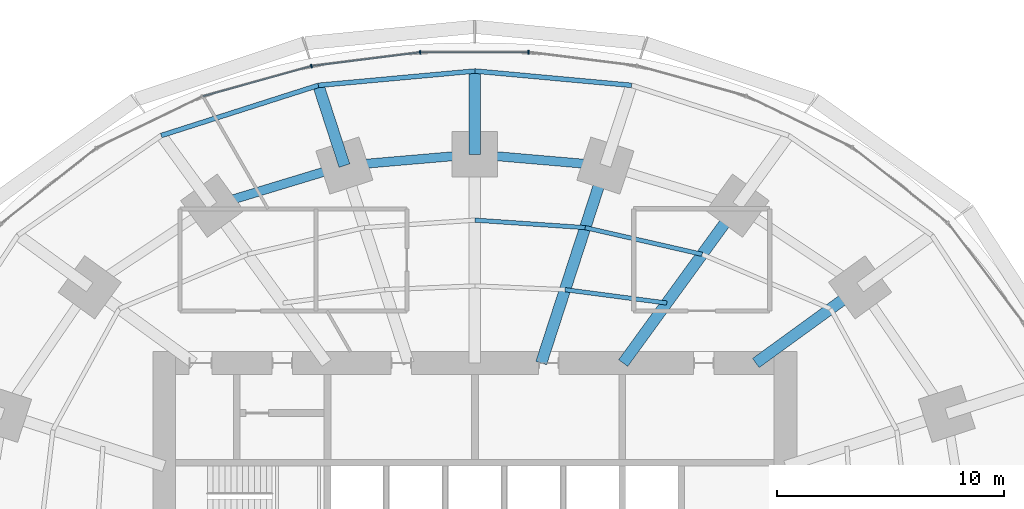
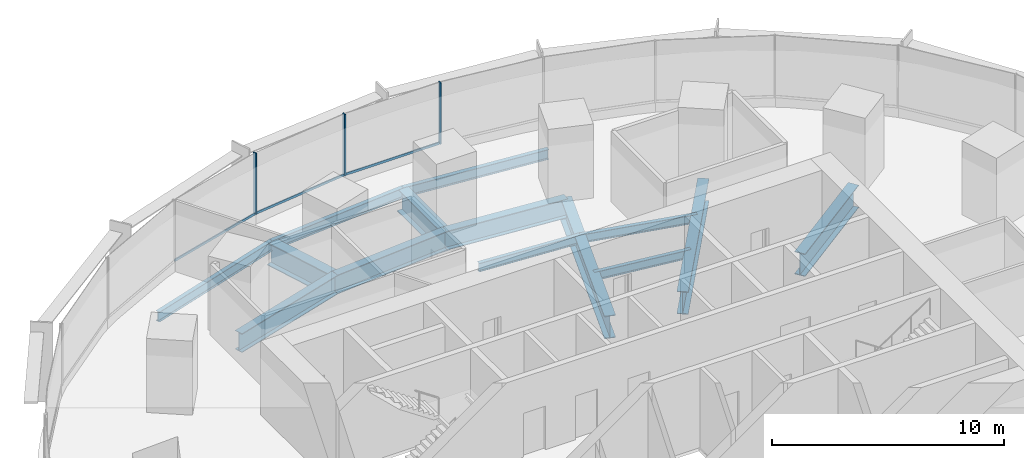
# One storey, part 8 of 15: 14 beams, 6 members, 1 element without a shape of its own.
"""IFC4 building model written with IfcOpenShell, lengths in metres."""

from ifc_helpers import new_model, si_unit, direction, frame, origin, origin_2d, place, context, subcontext, project, spatial, rectangle, i_section, extrude, material, material_profile, profile_set, type_object, element, aggregate, save


model = new_model("IFC4")

# Units and contexts
model_context = context("Model", 3, precision=1e-05, world=origin(), true_north=direction((0.0, 1.0)))
body_context = subcontext(model_context, "Body", "Model", "MODEL_VIEW")
ifc_project = project(units=[si_unit("LENGTHUNIT", "METRE"), si_unit("AREAUNIT", "SQUARE_METRE"), si_unit("VOLUMEUNIT", "CUBIC_METRE"), si_unit("PLANEANGLEUNIT", "RADIAN"), si_unit("MASSUNIT", "GRAM", prefix="KILO")], contexts=[model_context])

# Site, building, storey
site_placement = place(None, origin())
site = spatial("IfcSite", under=ifc_project, at=site_placement, CompositionType="ELEMENT")
building_placement = place(site_placement, origin())
building = spatial("IfcBuilding", under=site, at=building_placement, Name="Marramba Exchange Tower", CompositionType="ELEMENT")
storey_placement = place(building_placement, frame((0.0, 0.0, 28.0)))
storey = spatial("IfcBuildingStorey", under=building, at=storey_placement, Name="L06", CompositionType="ELEMENT", Elevation=28.0)

# Beams
ifc_material_1 = material(Name="Steel AS/NZS 3679.2 grade 300", Category="steel")
ifc_material_profile_1 = material_profile(ifc_material_1, i_section(OverallWidth=0.5, OverallDepth=1.199951171875, WebThickness=0.01611328125, FlangeThickness=0.0400390625, at=origin_2d()), Name="1200WB455")
ifc_profile_set_1 = profile_set([ifc_material_profile_1], Name="Steel AS/NZS 3679.2 grade 300")
beam_type_1 = type_object("IfcBeamType", Name="Cantilever girder 1200WB455", PredefinedType="BEAM", material=ifc_profile_set_1)
beam_1_placement = place(storey_placement, frame((0.0, 18.2041015625, -0.760009765625), z_axis=(0.0, 1.0, 0.0), x_axis=(-1.0, 0.0, 0.0)))
element("IfcBeam", 1, at=beam_1_placement, inside=storey, type_object=beam_type_1, Name="Cantilever girder L06 TC06", PredefinedType="BEAM", context=body_context, shape_type="SweptSolid", body=[
    extrude(i_section(OverallWidth=0.5, OverallDepth=1.199951171875, WebThickness=0.01611328125, FlangeThickness=0.0400390625, at=origin_2d()), origin(), (0.0, 0.0, 1.0), 3.673828125),
])
beam_2_placement = place(storey_placement, frame((-5.75390625, 17.70849609375, -0.760009765625), z_axis=(-0.308973290646, 0.951070715387, 0.0), x_axis=(-0.951070715387, -0.308973290646, 0.0)))
element("IfcBeam", 2, at=beam_2_placement, inside=storey, type_object=beam_type_1, Name="Cantilever girder L06 TC07", PredefinedType="BEAM", context=body_context, shape_type="SweptSolid", body=[
    extrude(i_section(OverallWidth=0.5, OverallDepth=1.199951171875, WebThickness=0.01611328125, FlangeThickness=0.0400390625, at=origin_2d()), origin(), (0.0, 0.0, 1.0), 3.72021484375),
])
ifc_material_2 = material(Name="Steel AS/NZS 3679.1 grade 300", Category="steel")
ifc_material_profile_2 = material_profile(ifc_material_2, i_section(OverallWidth=0.18994140625, OverallDepth=0.4541015625, WebThickness=0.008544921875, FlangeThickness=0.0126953125, FilletRadius=0.011474609375, at=origin_2d()), Name="460UB67.1")
ifc_profile_set_2 = profile_set([ifc_material_profile_2], Name="Steel AS/NZS 3679.1 grade 300")
beam_type_2 = type_object("IfcBeamType", Name="Floor joist 460UB67.1", PredefinedType="JOIST", material=ifc_profile_set_2)
beam_3_placement = place(storey_placement, frame((8.4619140625, 11.646728515625, -0.386962890625), z_axis=(-0.991480538255, 0.130254912618, 0.0), x_axis=(-0.130254912618, -0.991480538255, 0.0)))
element("IfcBeam", 3, at=beam_3_placement, inside=storey, type_object=beam_type_2, Name="Joist L06 bay 04 row 1", PredefinedType="JOIST", context=body_context, shape_type="SweptSolid", body=[
    extrude(i_section(OverallWidth=0.18994140625, OverallDepth=0.4541015625, WebThickness=0.008544921875, FlangeThickness=0.0126953125, FilletRadius=0.011474609375, at=origin_2d()), origin(), (0.0, 0.0, 1.0), 4.524658203125),
])
beam_4_placement = place(storey_placement, frame((10.021728515625, 13.793701171875, -0.386962890625), z_axis=(-0.974859652292, 0.222819788916, 0.0), x_axis=(-0.222819788916, -0.974859652292, 0.0)))
element("IfcBeam", 4, at=beam_4_placement, inside=storey, type_object=beam_type_2, Name="Joist L06 bay 04 row 2", PredefinedType="JOIST", context=body_context, shape_type="SweptSolid", body=[
    extrude(i_section(OverallWidth=0.18994140625, OverallDepth=0.4541015625, WebThickness=0.008544921875, FlangeThickness=0.0126953125, FilletRadius=0.011474609375, at=origin_2d()), origin(), (0.0, 0.0, 1.0), 5.2900390625),
])
beam_5_placement = place(storey_placement, frame((4.86474609375, 14.972412109375, -0.386962890625), z_axis=(-0.997702652202, 0.067745241816, 0.0), x_axis=(-0.067745241816, -0.997702652202, 0.0)))
element("IfcBeam", 5, at=beam_5_placement, inside=storey, type_object=beam_type_2, Name="Joist L06 bay 05 row 2", PredefinedType="JOIST", context=body_context, shape_type="SweptSolid", body=[
    extrude(i_section(OverallWidth=0.18994140625, OverallDepth=0.4541015625, WebThickness=0.008544921875, FlangeThickness=0.0126953125, FilletRadius=0.011474609375, at=origin_2d()), origin(), (0.0, 0.0, 1.0), 4.8759765625),
])
ifc_material_profile_3 = material_profile(ifc_material_1, i_section(OverallWidth=0.5, OverallDepth=1.199951171875, WebThickness=0.01611328125, FlangeThickness=0.0400390625, at=origin_2d()), Name="1200WB455")
ifc_profile_set_3 = profile_set([ifc_material_profile_3], Name="Steel AS/NZS 3679.2 grade 300")
beam_type_3 = type_object("IfcBeamType", Name="Radial girder 1200WB455", PredefinedType="BEAM", material=ifc_profile_set_3)
beam_6_placement = place(storey_placement, frame((12.387451171875, 9.0, -0.760009765625), z_axis=(0.809025746925, 0.587773205252, 0.0), x_axis=(-0.587773205252, 0.809025746925, 0.0)))
element("IfcBeam", 6, at=beam_6_placement, inside=storey, type_object=beam_type_3, Name="Radial girder L06 TC03", PredefinedType="BEAM", context=body_context, shape_type="SweptSolid", body=[
    extrude(i_section(OverallWidth=0.5, OverallDepth=1.199951171875, WebThickness=0.01611328125, FlangeThickness=0.0400390625, at=origin_2d()), origin(), (0.0, 0.0, 1.0), 5.683837890625),
])
beam_7_placement = place(storey_placement, frame((6.538818359375, 9.0, -0.760009765625), z_axis=(0.587782439969, 0.80901903764, 0.0), x_axis=(-0.80901903764, 0.587782439969, 0.0)))
element("IfcBeam", 7, at=beam_7_placement, inside=storey, type_object=beam_type_3, Name="Radial girder L06 TC04", PredefinedType="BEAM", context=body_context, shape_type="SweptSolid", body=[
    extrude(i_section(OverallWidth=0.5, OverallDepth=1.199951171875, WebThickness=0.01611328125, FlangeThickness=0.0400390625, at=origin_2d()), origin(), (0.0, 0.0, 1.0), 8.578857421875),
])
beam_8_placement = place(storey_placement, frame((2.92431640625, 9.0, -0.760009765625), z_axis=(0.309019754162, 0.951055619582, 0.0), x_axis=(-0.951055619582, 0.309019754162, 0.0)))
element("IfcBeam", 8, at=beam_8_placement, inside=storey, type_object=beam_type_3, Name="Radial girder L06 TC05", PredefinedType="BEAM", context=body_context, shape_type="SweptSolid", body=[
    extrude(i_section(OverallWidth=0.5, OverallDepth=1.199951171875, WebThickness=0.01611328125, FlangeThickness=0.0400390625, at=origin_2d()), origin(), (0.0, 0.0, 1.0), 9.15673828125),
])
ifc_material_profile_4 = material_profile(ifc_material_1, i_section(OverallWidth=0.39990234375, OverallDepth=1.0, WebThickness=0.01611328125, FlangeThickness=0.031982421875, at=origin_2d()), Name="1000WB322")
ifc_profile_set_4 = profile_set([ifc_material_profile_4], Name="Steel AS/NZS 3679.2 grade 300")
beam_type_4 = type_object("IfcBeamType", Name="Ring beam 1000WB322", PredefinedType="SPANDREL", material=ifc_profile_set_4)
for number, where, z_axis, x_axis, name in (
    (9, (5.75390625, 17.70849609375, -0.659912109375), (-0.996311003275, 0.085815993578, 0.0), (-0.085815993578, -0.996311003275, 0.0), "Ring beam L06 TC05-TC06"),
    (10, (0.0, 18.2041015625, -0.659912109375), (-0.996311003275, -0.085815993578, 0.0), (0.085815993578, -0.996311003275, 0.0), "Ring beam L06 TC06-TC07"),
):
    element("IfcBeam", number, at=place(storey_placement, frame(where, z_axis=z_axis, x_axis=x_axis)), inside=storey, type_object=beam_type_4, Name=name, PredefinedType="SPANDREL", context=body_context, shape_type="SweptSolid", body=[
        extrude(i_section(OverallWidth=0.39990234375, OverallDepth=1.0, WebThickness=0.01611328125, FlangeThickness=0.031982421875, at=origin_2d()), origin(), (0.0, 0.0, 1.0), 5.775146484375),
    ])
beam_9_placement = place(storey_placement, frame((-5.75390625, 17.70849609375, -0.659912109375), z_axis=(-0.956924542524, -0.290336735387, 0.0), x_axis=(0.290336735387, -0.956924542524, 0.0)))
element("IfcBeam", 11, at=beam_9_placement, inside=storey, type_object=beam_type_4, Name="Ring beam L06 TC07-TC08", PredefinedType="SPANDREL", context=body_context, shape_type="SweptSolid", body=[
    extrude(i_section(OverallWidth=0.39990234375, OverallDepth=1.0, WebThickness=0.01611328125, FlangeThickness=0.031982421875, at=origin_2d()), origin(), (0.0, 0.0, 1.0), 6.089599609375),
])
ifc_material_profile_5 = material_profile(ifc_material_2, i_section(OverallWidth=0.208984375, OverallDepth=0.528076171875, WebThickness=0.009521484375, FlangeThickness=0.01318359375, FilletRadius=0.013916015625, at=origin_2d()), Name="530UB82.0")
ifc_profile_set_5 = profile_set([ifc_material_profile_5], Name="Steel AS/NZS 3679.1 grade 300")
beam_type_5 = type_object("IfcBeamType", Name="Slab edge beam 530UB82.0", PredefinedType="SPANDREL", material=ifc_profile_set_5)
for number, where, z_axis, x_axis, name in (
    (12, (6.9033203125, 21.24658203125, -0.424072265625), (-0.995843984921, 0.091075560369, 0.0), (-0.091075560369, -0.995843984921, 0.0), "Slab edge beam L06 TC05-TC06"),
    (13, (0.0, 21.8779296875, -0.424072265625), (-0.995843984921, -0.091075560369, 0.0), (0.091075560369, -0.995843984921, 0.0), "Slab edge beam L06 TC06-TC07"),
):
    element("IfcBeam", number, at=place(storey_placement, frame(where, z_axis=z_axis, x_axis=x_axis)), inside=storey, type_object=beam_type_5, Name=name, PredefinedType="SPANDREL", context=body_context, shape_type="SweptSolid", body=[
        extrude(i_section(OverallWidth=0.208984375, OverallDepth=0.528076171875, WebThickness=0.009521484375, FlangeThickness=0.01318359375, FilletRadius=0.013916015625, at=origin_2d()), origin(), (0.0, 0.0, 1.0), 6.93212890625),
    ])
beam_10_placement = place(storey_placement, frame((-6.9033203125, 21.24658203125, -0.424072265625), z_axis=(-0.952577642997, -0.304295635957, 0.0), x_axis=(0.304295635957, -0.952577642997, 0.0)))
element("IfcBeam", 14, at=beam_10_placement, inside=storey, type_object=beam_type_5, Name="Slab edge beam L06 TC07-TC08", PredefinedType="SPANDREL", context=body_context, shape_type="SweptSolid", body=[
    extrude(i_section(OverallWidth=0.208984375, OverallDepth=0.528076171875, WebThickness=0.009521484375, FlangeThickness=0.01318359375, FilletRadius=0.013916015625, at=origin_2d()), origin(), (0.0, 0.0, 1.0), 7.2705078125),
])

# Curtain wall, members
ifc_material_3 = material(Name="Aluminium framing, bronze anodised", Category="aluminium")
curtain_wall_type = type_object("IfcCurtainWallType", Name="Trading floor ribbon curtain wall", PredefinedType="USERDEFINED", material=ifc_material_3)
curtain_wall_placement = place(storey_placement, origin())
curtain_wall = element("IfcCurtainWall", 15, at=curtain_wall_placement, inside=storey, type_object=curtain_wall_type, Name="Curtain wall CW3 L06 F06-F10", ObjectType="RIBBON CURTAIN WALL", PredefinedType="USERDEFINED")
ifc_material_4 = material(Name="Aluminium mullion, bronze anodised", Category="aluminium")
ifc_material_profile_6 = material_profile(ifc_material_4, rectangle(XDim=0.159912109375, YDim=0.06005859375, at=origin_2d()), Name="CW3 mullion 60x160")
ifc_profile_set_6 = profile_set([ifc_material_profile_6], Name="Aluminium mullion, bronze anodised")
member_type_1 = type_object("IfcMemberType", Name="Trading floor ribbon curtain wall mullion", PredefinedType="MULLION", material=ifc_profile_set_6)
member_1_placement = place(storey_placement, frame((2.3564453125, 22.7060546875, 0.800048828125), z_axis=(0.0, 0.0, 1.0), x_axis=(0.0, -1.0, 0.0)))
member_1 = element("IfcMember", 16, at=member_1_placement, type_object=member_type_1, Name="CW3 mullion 1", PredefinedType="MULLION", context=body_context, shape_type="SweptSolid", body=[
    extrude(rectangle(XDim=0.159912109375, YDim=0.06005859375, at=origin_2d()), origin(), (0.0, 0.0, 1.0), 3.239990234375),
])
member_2_placement = place(storey_placement, frame((-2.416259765625, 22.7021484375, 0.800048828125), z_axis=(0.0, 0.0, 1.0), x_axis=(0.124872723099, -0.992172768738, 0.0)))
member_2 = element("IfcMember", 17, at=member_2_placement, type_object=member_type_1, Name="CW3 mullion 1", PredefinedType="MULLION", context=body_context, shape_type="SweptSolid", body=[
    extrude(rectangle(XDim=0.159912109375, YDim=0.06005859375, at=origin_2d()), origin(), (0.0, 0.0, 1.0), 3.239990234375),
])
member_3_placement = place(storey_placement, frame((-7.21044921875, 22.094482421875, 0.800048828125), z_axis=(0.0, 0.0, 1.0), x_axis=(0.267808735815, -0.963472096649, 0.0)))
member_3 = element("IfcMember", 18, at=member_3_placement, type_object=member_type_1, Name="CW3 mullion 1", PredefinedType="MULLION", context=body_context, shape_type="SweptSolid", body=[
    extrude(rectangle(XDim=0.159912109375, YDim=0.06005859375, at=origin_2d()), origin(), (0.0, 0.0, 1.0), 3.239990234375),
])
ifc_material_5 = material(Name="Aluminium transom, bronze anodised", Category="aluminium")
ifc_material_profile_7 = material_profile(ifc_material_5, rectangle(XDim=0.06005859375, YDim=0.1201171875, at=origin_2d()), Name="CW3 transom 60x120")
ifc_profile_set_7 = profile_set([ifc_material_profile_7], Name="Aluminium transom, bronze anodised")
member_type_2 = type_object("IfcMemberType", Name="Trading floor ribbon curtain wall transom", PredefinedType="USERDEFINED", material=ifc_profile_set_7)
member_4_placement = place(storey_placement, frame((2.326416015625, 22.7060546875, 0.830078125), z_axis=(-1.0, 0.0, 0.0), x_axis=(0.0, -1.0, 0.0)))
member_4 = element("IfcMember", 19, at=member_4_placement, type_object=member_type_2, Name="CW3 sill transom", ObjectType="TRANSOM", PredefinedType="USERDEFINED", context=body_context, shape_type="SweptSolid", body=[
    extrude(rectangle(XDim=0.06005859375, YDim=0.1201171875, at=origin_2d()), origin(), (0.0, 0.0, 1.0), 4.712890625),
])
member_5_placement = place(storey_placement, frame((-2.446044921875, 22.698486328125, 0.830078125), z_axis=(-0.992174445211, -0.124859402009, 0.0), x_axis=(0.124859402009, -0.992174445211, 0.0)))
member_5 = element("IfcMember", 20, at=member_5_placement, type_object=member_type_2, Name="CW3 sill transom", ObjectType="TRANSOM", PredefinedType="USERDEFINED", context=body_context, shape_type="SweptSolid", body=[
    extrude(rectangle(XDim=0.06005859375, YDim=0.1201171875, at=origin_2d()), origin(), (0.0, 0.0, 1.0), 4.77294921875),
])
member_6_placement = place(storey_placement, frame((-7.2392578125, 22.08642578125, 0.830078125), z_axis=(-0.963472490071, -0.267807320431, 0.0), x_axis=(0.267807320431, -0.963472490071, 0.0)))
member_6 = element("IfcMember", 21, at=member_6_placement, type_object=member_type_2, Name="CW3 sill transom", ObjectType="TRANSOM", PredefinedType="USERDEFINED", context=body_context, shape_type="SweptSolid", body=[
    extrude(rectangle(XDim=0.06005859375, YDim=0.1201171875, at=origin_2d()), origin(), (0.0, 0.0, 1.0), 4.93017578125),
])
aggregate(curtain_wall, [member_1, member_4, member_2, member_5, member_3, member_6])

save(model, "model.ifc")
